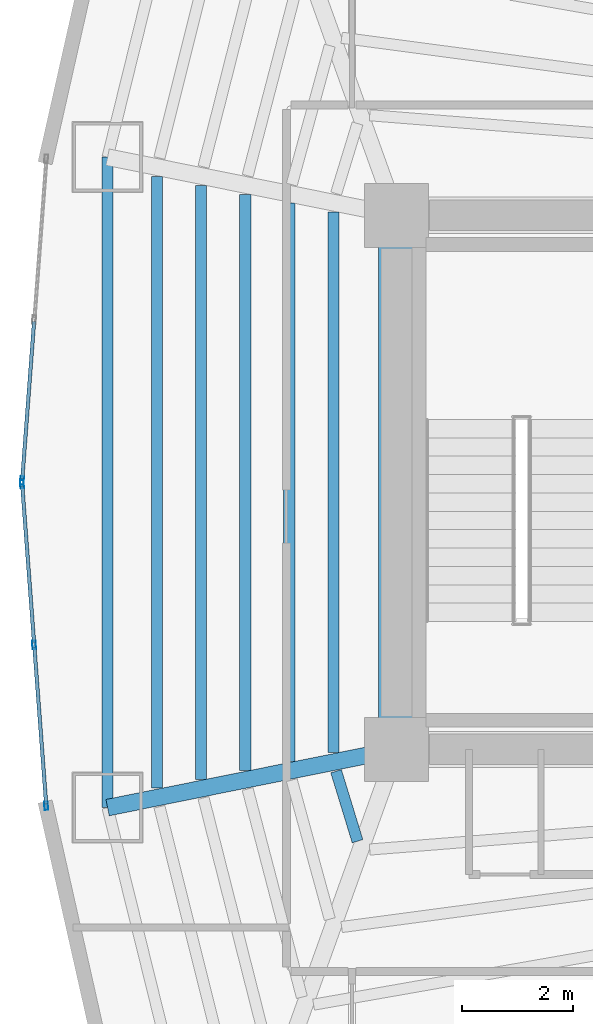
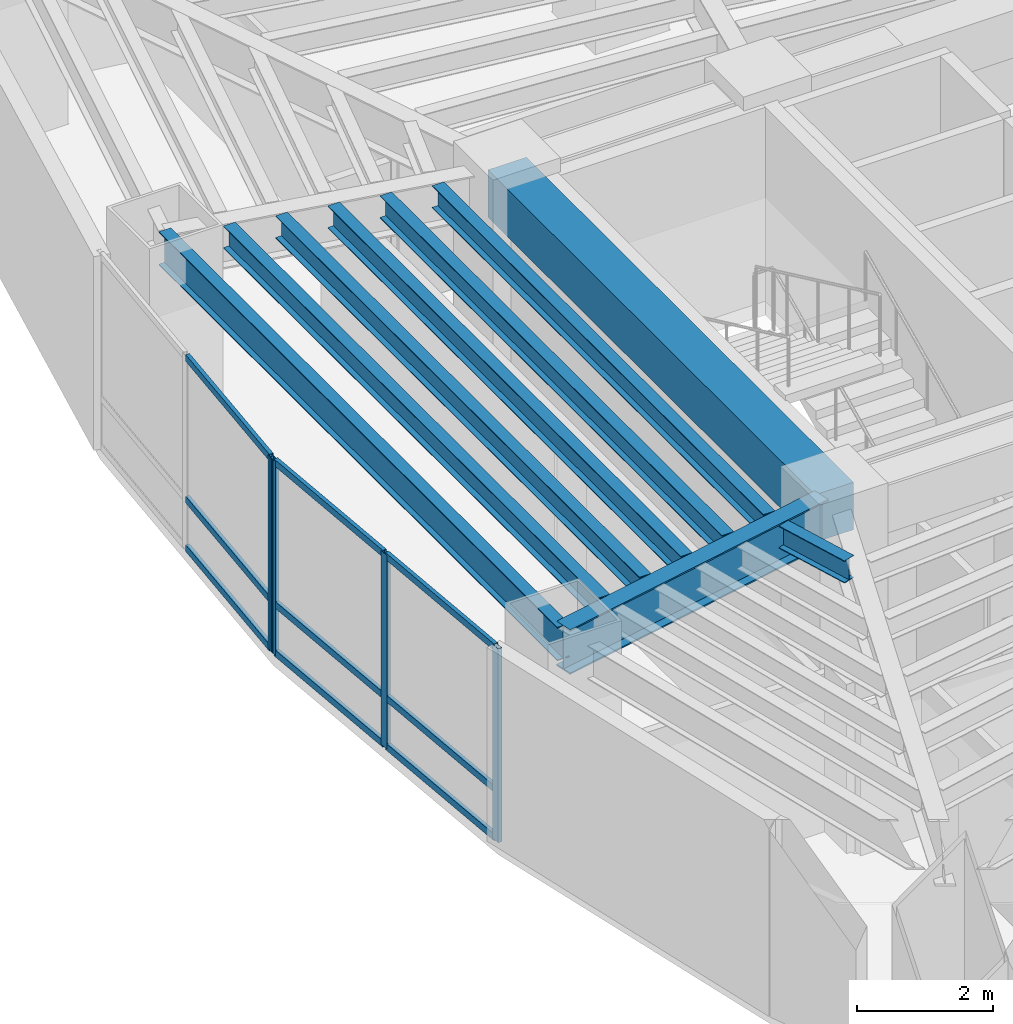
# One storey, part 3 of 18: 13 members, 9 beams, 2 elements without a shape of their own.
"""IFC4 building model written with IfcOpenShell, lengths in metres."""

from ifc_helpers import new_model, si_unit, direction, frame, origin, origin_2d, place, context, subcontext, project, spatial, rectangle, hollow_rectangle, i_section, extrude, material, layer, layer_set, material_profile, profile_set, type_object, element, aggregate, save


model = new_model("IFC4")

# Units and contexts
model_context = context("Model", 3, precision=1e-05, world=origin(), true_north=direction((0.0, 1.0)))
body_context = subcontext(model_context, "Body", "Model", "MODEL_VIEW")
ifc_project = project(units=[si_unit("LENGTHUNIT", "METRE"), si_unit("AREAUNIT", "SQUARE_METRE"), si_unit("VOLUMEUNIT", "CUBIC_METRE"), si_unit("PLANEANGLEUNIT", "RADIAN"), si_unit("MASSUNIT", "GRAM", prefix="KILO")], contexts=[model_context])

# Site, building, storey
site_placement = place(None, origin())
site = spatial("IfcSite", under=ifc_project, at=site_placement, CompositionType="ELEMENT")
building_placement = place(site_placement, origin())
building = spatial("IfcBuilding", under=site, at=building_placement, Name="Menara Vayukalpa", CompositionType="ELEMENT")
storey_placement = place(building_placement, frame((0.0, 0.0, 96.5400390625)))
storey = spatial("IfcBuildingStorey", under=building, at=storey_placement, Name="L23", CompositionType="ELEMENT", Elevation=96.5400390625)

# Beams
ifc_material_1 = material(Name="Concrete C60/75", Category="concrete")
ifc_material_profile_1 = material_profile(ifc_material_1, rectangle(XDim=0.64990234375, YDim=0.85009765625, at=origin_2d()), Name="RC 650x850")
ifc_profile_set_1 = profile_set([ifc_material_profile_1], Name="Concrete C60/75")
beam_type_1 = type_object("IfcBeamType", Name="BM-CB1", PredefinedType="BEAM", material=ifc_profile_set_1)
beam_1_placement = place(storey_placement, frame((17.800048828125, 17.199951171875, 3.044921875), z_axis=(0.0, 1.0, 0.0), x_axis=(-1.0, 0.0, 0.0)))
element("IfcBeam", 1, at=beam_1_placement, inside=storey, type_object=beam_type_1, Name="L23 Core Tie Beam CBR7", PredefinedType="BEAM", context=body_context, shape_type="SweptSolid", body=[
    extrude(rectangle(XDim=0.64990234375, YDim=0.85009765625, at=origin_2d()), origin(), (0.0, 0.0, 1.0), 9.60009765625),
])
ifc_material_2 = material(Name="Steel S355", Category="steel")
ifc_material_profile_2 = material_profile(ifc_material_2, i_section(OverallWidth=0.300048828125, OverallDepth=0.800048828125, WebThickness=0.013916015625, FlangeThickness=0.02587890625, at=origin_2d()), Name="WF 800x300x14x26")
ifc_profile_set_2 = profile_set([ifc_material_profile_2], Name="Steel S355")
beam_type_2 = type_object("IfcBeamType", Name="BM-PG3", PredefinedType="BEAM", material=ifc_profile_set_2)
beam_2_placement = place(storey_placement, frame((17.554931640625, 17.150634765625, 3.070068359375), z_axis=(-0.980324984906, -0.197390283373, 0.0), x_axis=(0.197390283373, -0.980324984906, 0.0)))
element("IfcBeam", 2, at=beam_2_placement, inside=storey, type_object=beam_type_2, Name="L23 Primary Radial Girder RG06", PredefinedType="BEAM", context=body_context, shape_type="SweptSolid", body=[
    extrude(i_section(OverallWidth=0.300048828125, OverallDepth=0.800048828125, WebThickness=0.013916015625, FlangeThickness=0.02587890625, at=origin_2d()), origin(), (0.0, 0.0, 1.0), 5.047607421875),
])
ifc_material_3 = material(Name="Steel S355", Category="steel")
ifc_material_profile_3 = material_profile(ifc_material_3, i_section(OverallWidth=0.199951171875, OverallDepth=0.39990234375, WebThickness=0.008056640625, FlangeThickness=0.012939453125, at=origin_2d()), Name="WF 400x200x8x13")
ifc_profile_set_3 = profile_set([ifc_material_profile_3], Name="Steel S355")
beam_type_3 = type_object("IfcBeamType", Name="BM-SJ2", PredefinedType="JOIST", material=ifc_profile_set_3)
beam_3_placement = place(storey_placement, frame((16.664306640625, 26.858642578125, 3.27001953125), z_axis=(0.0, -1.0, 0.0), x_axis=(1.0, 0.0, 0.0)))
element("IfcBeam", 3, at=beam_3_placement, inside=storey, type_object=beam_type_3, Name="L23 Secondary Floor Joist SJ05-1", PredefinedType="JOIST", context=body_context, shape_type="SweptSolid", body=[
    extrude(i_section(OverallWidth=0.199951171875, OverallDepth=0.39990234375, WebThickness=0.008056640625, FlangeThickness=0.012939453125, at=origin_2d()), origin(), (0.0, 0.0, 1.0), 9.71728515625),
])
beam_4_placement = place(storey_placement, frame((15.87255859375, 27.01806640625, 3.27001953125), z_axis=(0.0, -1.0, 0.0), x_axis=(1.0, 0.0, 0.0)))
element("IfcBeam", 4, at=beam_4_placement, inside=storey, type_object=beam_type_3, Name="L23 Secondary Floor Joist SJ05-2", PredefinedType="JOIST", context=body_context, shape_type="SweptSolid", body=[
    extrude(i_section(OverallWidth=0.199951171875, OverallDepth=0.39990234375, WebThickness=0.008056640625, FlangeThickness=0.012939453125, at=origin_2d()), origin(), (0.0, 0.0, 1.0), 10.0361328125),
])
beam_5_placement = place(storey_placement, frame((15.080810546875, 27.177490234375, 3.27001953125), z_axis=(0.0, -1.0, 0.0), x_axis=(1.0, 0.0, 0.0)))
element("IfcBeam", 5, at=beam_5_placement, inside=storey, type_object=beam_type_3, Name="L23 Secondary Floor Joist SJ05-3", PredefinedType="JOIST", context=body_context, shape_type="SweptSolid", body=[
    extrude(i_section(OverallWidth=0.199951171875, OverallDepth=0.39990234375, WebThickness=0.008056640625, FlangeThickness=0.012939453125, at=origin_2d()), origin(), (0.0, 0.0, 1.0), 10.35498046875),
])
beam_6_placement = place(storey_placement, frame((14.2890625, 27.3369140625, 3.27001953125), z_axis=(0.0, -1.0, 0.0), x_axis=(1.0, 0.0, 0.0)))
element("IfcBeam", 6, at=beam_6_placement, inside=storey, type_object=beam_type_3, Name="L23 Secondary Floor Joist SJ05-4", PredefinedType="JOIST", context=body_context, shape_type="SweptSolid", body=[
    extrude(i_section(OverallWidth=0.199951171875, OverallDepth=0.39990234375, WebThickness=0.008056640625, FlangeThickness=0.012939453125, at=origin_2d()), origin(), (0.0, 0.0, 1.0), 10.673828125),
])
beam_7_placement = place(storey_placement, frame((13.497314453125, 27.496337890625, 3.27001953125), z_axis=(0.0, -1.0, 0.0), x_axis=(1.0, 0.0, 0.0)))
element("IfcBeam", 7, at=beam_7_placement, inside=storey, type_object=beam_type_3, Name="L23 Secondary Floor Joist SJ05-5", PredefinedType="JOIST", context=body_context, shape_type="SweptSolid", body=[
    extrude(i_section(OverallWidth=0.199951171875, OverallDepth=0.39990234375, WebThickness=0.008056640625, FlangeThickness=0.012939453125, at=origin_2d()), origin(), (0.0, 0.0, 1.0), 10.99267578125),
])
beam_8_placement = place(storey_placement, frame((16.714111328125, 16.808837890625, 3.27001953125), z_axis=(0.292651981473, -0.956219021846, 0.0), x_axis=(0.956219021846, 0.292651981473, 0.0)))
element("IfcBeam", 8, at=beam_8_placement, inside=storey, type_object=beam_type_3, Name="L23 Secondary Floor Joist SJ06-1", PredefinedType="JOIST", context=body_context, shape_type="SweptSolid", body=[
    extrude(i_section(OverallWidth=0.199951171875, OverallDepth=0.39990234375, WebThickness=0.008056640625, FlangeThickness=0.012939453125, at=origin_2d()), origin(), (0.0, 0.0, 1.0), 1.31640625),
])
ifc_material_4 = material(Name="Steel S355", Category="steel")
ifc_material_profile_4 = material_profile(ifc_material_4, i_section(OverallWidth=0.199951171875, OverallDepth=0.60009765625, WebThickness=0.010986328125, FlangeThickness=0.01708984375, at=origin_2d()), Name="WF 600x200x11x17")
ifc_profile_set_4 = profile_set([ifc_material_profile_4], Name="Steel S355")
beam_type_4 = type_object("IfcBeamType", Name="BM-SP1", PredefinedType="SPANDREL", material=ifc_profile_set_4)
beam_9_placement = place(storey_placement, frame((12.606689453125, 27.845703125, 3.169921875), z_axis=(0.0, -1.0, 0.0), x_axis=(1.0, 0.0, 0.0)))
element("IfcBeam", 9, at=beam_9_placement, inside=storey, type_object=beam_type_4, Name="L23 Perimeter Spandrel Beam SP05", PredefinedType="SPANDREL", context=body_context, shape_type="SweptSolid", body=[
    extrude(i_section(OverallWidth=0.199951171875, OverallDepth=0.60009765625, WebThickness=0.010986328125, FlangeThickness=0.01708984375, at=origin_2d()), origin(), (0.0, 0.0, 1.0), 11.69140625),
])

# Curtain wall, member
ifc_material_5 = material(Name="Anodised Terracotta Aluminium Alloy 6063-T6", Category="masonry")
ifc_layer = layer(ifc_material_5, 0.14990234375)
ifc_layer_set = layer_set([ifc_layer], Name="Anodised Terracotta Aluminium Alloy 6063-T6")
curtain_wall_type = type_object("IfcCurtainWallType", Name="CW-CW3", PredefinedType="USERDEFINED", material=ifc_layer_set)
curtain_wall_1_placement = place(storey_placement, origin())
curtain_wall_1 = element("IfcCurtainWall", 10, at=curtain_wall_1_placement, inside=storey, type_object=curtain_wall_type, Name="L23 Mid Rise Terracotta Ribbon Curtain Wall CW3 10", ObjectType="UNITISED", PredefinedType="USERDEFINED")
ifc_material_6 = material(Name="Anodised Terracotta Aluminium Alloy 6063-T6", Category="masonry")
ifc_material_profile_5 = material_profile(ifc_material_6, hollow_rectangle(XDim=0.06494140625, YDim=0.14990234375, WallThickness=0.00341796875, at=origin_2d()), Name="ALU 65x150x3.5")
ifc_profile_set_5 = profile_set([ifc_material_profile_5], Name="Anodised Terracotta Aluminium Alloy 6063-T6")
member_type_1 = type_object("IfcMemberType", Name="CWM-CW3", PredefinedType="MULLION", material=ifc_profile_set_5)
member_1_placement = place(storey_placement, frame((11.070556640625, 22.032470703125, 0.0), z_axis=(0.0, 0.0, 1.0), x_axis=(0.997199659745, -0.07478528334, 0.0)))
member_1 = element("IfcMember", 11, at=member_1_placement, type_object=member_type_1, Name="CW3 mullion 3", PredefinedType="MULLION", context=body_context, shape_type="SweptSolid", body=[
    extrude(hollow_rectangle(XDim=0.06494140625, YDim=0.14990234375, WallThickness=0.00341796875, at=origin_2d()), origin(), (0.0, 0.0, 1.0), 3.469970703125),
])

# Curtain wall, members
curtain_wall_2_placement = place(storey_placement, origin())
curtain_wall_2 = element("IfcCurtainWall", 12, at=curtain_wall_2_placement, inside=storey, type_object=curtain_wall_type, Name="L23 Mid Rise Terracotta Ribbon Curtain Wall CW3 11", ObjectType="UNITISED", PredefinedType="USERDEFINED")
member_2_placement = place(storey_placement, frame((11.070556640625, 21.967529296875, 0.0), z_axis=(0.0, 0.0, 1.0), x_axis=(0.997199659745, 0.07478528334, 0.0)))
member_2 = element("IfcMember", 13, at=member_2_placement, type_object=member_type_1, Name="CW3 mullion 1", PredefinedType="MULLION", context=body_context, shape_type="SweptSolid", body=[
    extrude(hollow_rectangle(XDim=0.06494140625, YDim=0.14990234375, WallThickness=0.00341796875, at=origin_2d()), origin(), (0.0, 0.0, 1.0), 3.469970703125),
])
member_3_placement = place(storey_placement, frame((11.287353515625, 19.0771484375, 0.0), z_axis=(0.0, 0.0, 1.0), x_axis=(0.997199659745, 0.07478528334, 0.0)))
member_3 = element("IfcMember", 14, at=member_3_placement, type_object=member_type_1, Name="CW3 mullion 2", PredefinedType="MULLION", context=body_context, shape_type="SweptSolid", body=[
    extrude(hollow_rectangle(XDim=0.06494140625, YDim=0.14990234375, WallThickness=0.00341796875, at=origin_2d()), origin(), (0.0, 0.0, 1.0), 3.469970703125),
])
member_4_placement = place(storey_placement, frame((11.504150390625, 16.186767578125, 0.0), z_axis=(0.0, 0.0, 1.0), x_axis=(0.997199659745, 0.07478528334, 0.0)))
member_4 = element("IfcMember", 15, at=member_4_placement, type_object=member_type_1, Name="CW3 mullion 3", PredefinedType="MULLION", context=body_context, shape_type="SweptSolid", body=[
    extrude(hollow_rectangle(XDim=0.06494140625, YDim=0.14990234375, WallThickness=0.00341796875, at=origin_2d()), origin(), (0.0, 0.0, 1.0), 3.469970703125),
])

# Member
ifc_material_7 = material(Name="Anodised Terracotta Aluminium Alloy 6063-T6", Category="masonry")
ifc_material_profile_6 = material_profile(ifc_material_7, hollow_rectangle(XDim=0.06494140625, YDim=0.1201171875, WallThickness=0.00341796875, at=origin_2d()), Name="ALU 65x120x3.5")
ifc_profile_set_6 = profile_set([ifc_material_profile_6], Name="Anodised Terracotta Aluminium Alloy 6063-T6")
member_type_2 = type_object("IfcMemberType", Name="CWT-CW3", PredefinedType="USERDEFINED", material=ifc_profile_set_6)
member_5_placement = place(storey_placement, frame((11.284912109375, 24.890380859375, 0.032470703125), z_axis=(-0.074785664408, -0.997199631167, 0.0), x_axis=(0.997199631167, -0.074785664408, 0.0)))
member_5 = element("IfcMember", 16, at=member_5_placement, type_object=member_type_2, Name="CW3 transom 2.1", ObjectType="TRANSOM", PredefinedType="USERDEFINED", context=body_context, shape_type="SweptSolid", body=[
    extrude(hollow_rectangle(XDim=0.06494140625, YDim=0.1201171875, WallThickness=0.00341796875, at=origin_2d()), origin(), (0.0, 0.0, 1.0), 2.833740234375),
])

member_6_placement = place(storey_placement, frame((11.284912109375, 24.890380859375, 0.89990234375), z_axis=(-0.074785664408, -0.997199631167, 0.0), x_axis=(0.997199631167, -0.074785664408, 0.0)))
member_6 = element("IfcMember", 17, at=member_6_placement, type_object=member_type_2, Name="CW3 transom 2.2", ObjectType="TRANSOM", PredefinedType="USERDEFINED", context=body_context, shape_type="SweptSolid", body=[
    extrude(hollow_rectangle(XDim=0.06494140625, YDim=0.1201171875, WallThickness=0.00341796875, at=origin_2d()), origin(), (0.0, 0.0, 1.0), 2.833740234375),
])

member_7_placement = place(storey_placement, frame((11.284912109375, 24.890380859375, 3.4375), z_axis=(-0.074785664408, -0.997199631167, 0.0), x_axis=(0.997199631167, -0.074785664408, 0.0)))
member_7 = element("IfcMember", 18, at=member_7_placement, type_object=member_type_2, Name="CW3 transom 2.3", ObjectType="TRANSOM", PredefinedType="USERDEFINED", context=body_context, shape_type="SweptSolid", body=[
    extrude(hollow_rectangle(XDim=0.06494140625, YDim=0.1201171875, WallThickness=0.00341796875, at=origin_2d()), origin(), (0.0, 0.0, 1.0), 2.833740234375),
])

aggregate(curtain_wall_1, [member_1, member_5, member_6, member_7])

member_8_placement = place(storey_placement, frame((11.072998046875, 21.935302734375, 0.032470703125), z_axis=(0.074785664408, -0.997199631167, 0.0), x_axis=(0.997199631167, 0.074785664408, 0.0)))
member_8 = element("IfcMember", 19, at=member_8_placement, type_object=member_type_2, Name="CW3 transom 1.1", ObjectType="TRANSOM", PredefinedType="USERDEFINED", context=body_context, shape_type="SweptSolid", body=[
    extrude(hollow_rectangle(XDim=0.06494140625, YDim=0.1201171875, WallThickness=0.00341796875, at=origin_2d()), origin(), (0.0, 0.0, 1.0), 2.833740234375),
])

member_9_placement = place(storey_placement, frame((11.072998046875, 21.935302734375, 0.89990234375), z_axis=(0.074785664408, -0.997199631167, 0.0), x_axis=(0.997199631167, 0.074785664408, 0.0)))
member_9 = element("IfcMember", 20, at=member_9_placement, type_object=member_type_2, Name="CW3 transom 1.2", ObjectType="TRANSOM", PredefinedType="USERDEFINED", context=body_context, shape_type="SweptSolid", body=[
    extrude(hollow_rectangle(XDim=0.06494140625, YDim=0.1201171875, WallThickness=0.00341796875, at=origin_2d()), origin(), (0.0, 0.0, 1.0), 2.833740234375),
])

member_10_placement = place(storey_placement, frame((11.072998046875, 21.935302734375, 3.4375), z_axis=(0.074785664408, -0.997199631167, 0.0), x_axis=(0.997199631167, 0.074785664408, 0.0)))
member_10 = element("IfcMember", 21, at=member_10_placement, type_object=member_type_2, Name="CW3 transom 1.3", ObjectType="TRANSOM", PredefinedType="USERDEFINED", context=body_context, shape_type="SweptSolid", body=[
    extrude(hollow_rectangle(XDim=0.06494140625, YDim=0.1201171875, WallThickness=0.00341796875, at=origin_2d()), origin(), (0.0, 0.0, 1.0), 2.833740234375),
])

member_11_placement = place(storey_placement, frame((11.289794921875, 19.044677734375, 0.032470703125), z_axis=(0.074792090342, -0.997199149229, 0.0), x_axis=(0.997199149229, 0.074792090342, 0.0)))
member_11 = element("IfcMember", 22, at=member_11_placement, type_object=member_type_2, Name="CW3 transom 2.1", ObjectType="TRANSOM", PredefinedType="USERDEFINED", context=body_context, shape_type="SweptSolid", body=[
    extrude(hollow_rectangle(XDim=0.06494140625, YDim=0.1201171875, WallThickness=0.00341796875, at=origin_2d()), origin(), (0.0, 0.0, 1.0), 2.83349609375),
])

member_12_placement = place(storey_placement, frame((11.289794921875, 19.044677734375, 0.89990234375), z_axis=(0.074792090342, -0.997199149229, 0.0), x_axis=(0.997199149229, 0.074792090342, 0.0)))
member_12 = element("IfcMember", 23, at=member_12_placement, type_object=member_type_2, Name="CW3 transom 2.2", ObjectType="TRANSOM", PredefinedType="USERDEFINED", context=body_context, shape_type="SweptSolid", body=[
    extrude(hollow_rectangle(XDim=0.06494140625, YDim=0.1201171875, WallThickness=0.00341796875, at=origin_2d()), origin(), (0.0, 0.0, 1.0), 2.83349609375),
])

member_13_placement = place(storey_placement, frame((11.289794921875, 19.044677734375, 3.4375), z_axis=(0.074792090342, -0.997199149229, 0.0), x_axis=(0.997199149229, 0.074792090342, 0.0)))
member_13 = element("IfcMember", 24, at=member_13_placement, type_object=member_type_2, Name="CW3 transom 2.3", ObjectType="TRANSOM", PredefinedType="USERDEFINED", context=body_context, shape_type="SweptSolid", body=[
    extrude(hollow_rectangle(XDim=0.06494140625, YDim=0.1201171875, WallThickness=0.00341796875, at=origin_2d()), origin(), (0.0, 0.0, 1.0), 2.83349609375),
])

aggregate(curtain_wall_2, [member_2, member_3, member_4, member_8, member_9, member_10, member_11, member_12, member_13])

save(model, "model.ifc")
